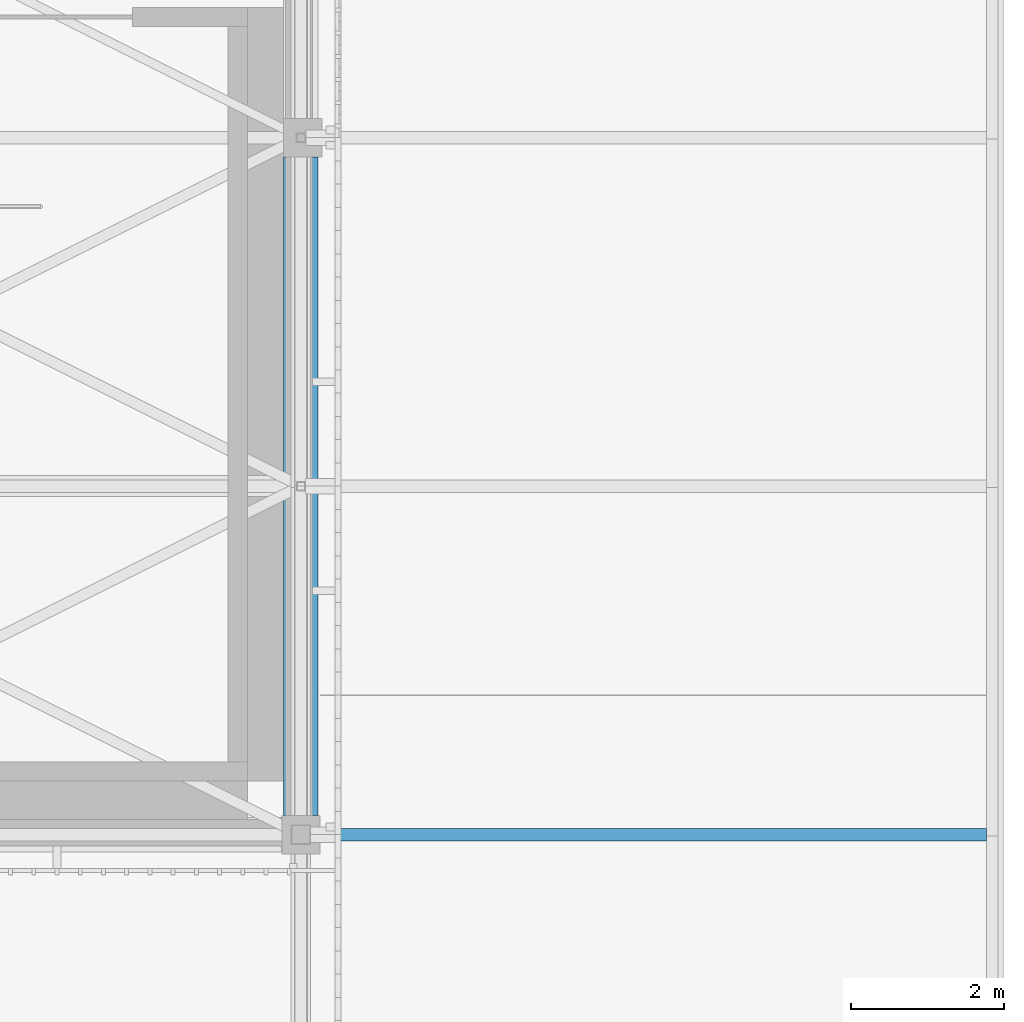
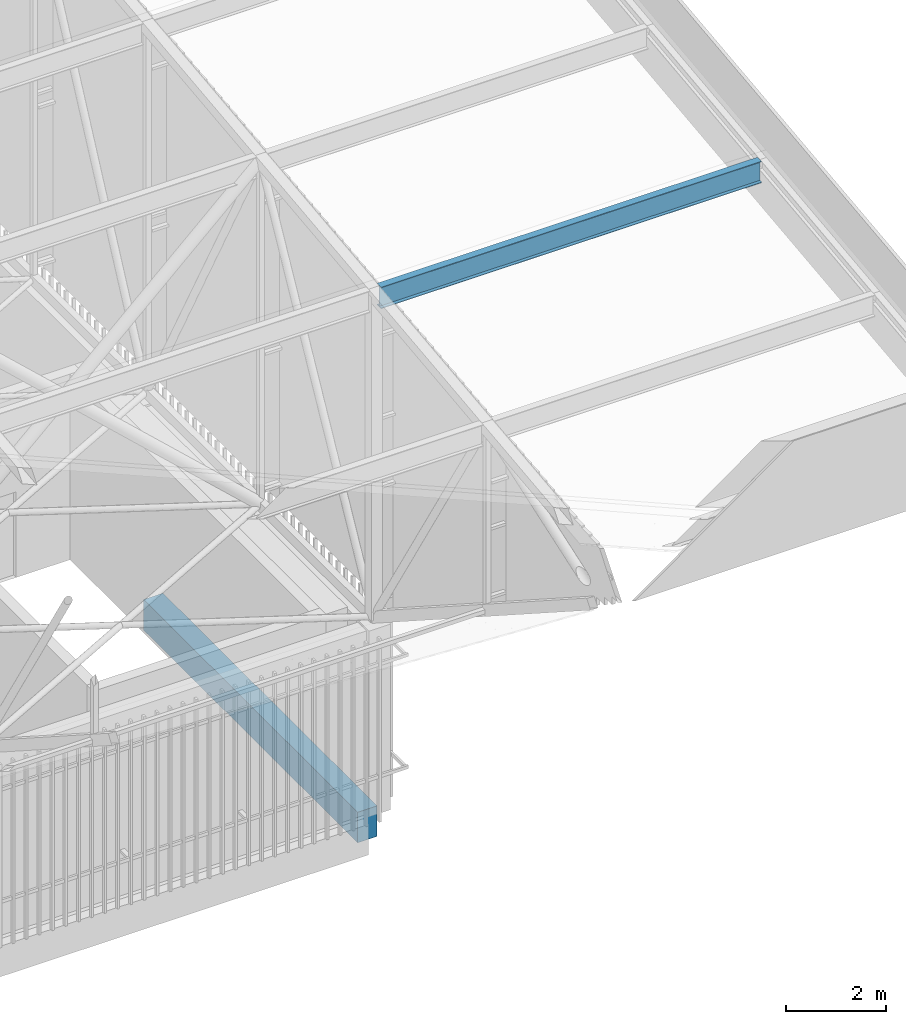
# One storey, part 334 of 500: 1 beam, 1 member.
"""IFC4 building model written with IfcOpenShell, lengths in metres."""

import ifcopenshell
import ifcopenshell.guid

model = None  # the IFC model being written
_history = None  # IfcOwnerHistory: only IFC2X3 demands one
_inside = {}  # id of a spatial element -> (the spatial element, [elements in it])
_under = {}  # id of a project, library or spatial element -> (it, [spatial elements below it])
_declared = {}  # id of a project -> (the project, [libraries it declares])
_typed = {}  # id of a type object -> (the type object, [elements of that type])
_made_of = {}  # id of a material, layer set ... -> (it, [elements and type objects made of it])


def new_model(schema):
    """Start an empty IFC model of exactly this schema.

    Asked for "IFC4X3", IfcOpenShell would pick the latest addendum, in which some entities
    have other attributes; the version numbers below select the first issue.
    IFC2X3 requires an IfcOwnerHistory on every rooted entity: one is made here for all.
    """
    global model, _history
    if schema == "IFC4X3":
        model = ifcopenshell.file(schema_version=(4, 3, 0, 0))
    else:
        model = ifcopenshell.file(schema=schema)
    _inside.clear()
    _under.clear()
    _declared.clear()
    _typed.clear()
    _made_of.clear()
    _history = None
    if model.schema == "IFC2X3":
        org = make("IfcOrganization", Name="unknown")
        user = make(
            "IfcPersonAndOrganization",
            ThePerson=make("IfcPerson", FamilyName="unknown"),
            TheOrganization=org,
        )
        app = make(
            "IfcApplication",
            ApplicationDeveloper=org,
            Version="unknown",
            ApplicationFullName="unknown",
            ApplicationIdentifier="unknown",
        )
        _history = make(
            "IfcOwnerHistory",
            OwningUser=user,
            OwningApplication=app,
            ChangeAction="ADDED",
            CreationDate=0,
        )
    return model


def make(cls, **values):
    """One entity of the class cls with the attributes given. An attribute that is None is left unset."""
    return model.create_entity(
        cls, **{name: value for name, value in values.items() if value is not None}
    )


def rooted(cls, **values):
    """An entity with a GlobalId (a new one), such as an element, a storey or a relation."""
    return make(cls, GlobalId=ifcopenshell.guid.new(), OwnerHistory=_history, **values)


def si_unit(unit_type, name, prefix=None):
    """IfcSIUnit, for example si_unit("LENGTHUNIT", "METRE", prefix="MILLI")."""
    return make("IfcSIUnit", UnitType=unit_type, Prefix=prefix, Name=name)


def assignment(units):
    """IfcUnitAssignment: the units of a project."""
    return None if units is None else make("IfcUnitAssignment", Units=units)


def point(xyz):
    """IfcCartesianPoint."""
    return None if xyz is None else make("IfcCartesianPoint", Coordinates=xyz)


def direction(xyz):
    """IfcDirection."""
    return None if xyz is None else make("IfcDirection", DirectionRatios=xyz)


def frame(location, z_axis=None, x_axis=None):
    """IfcAxis2Placement3D, a coordinate frame: its origin and axes. An axis left out is left unset."""
    return make(
        "IfcAxis2Placement3D",
        Location=point(location),
        Axis=direction(z_axis),
        RefDirection=direction(x_axis),
    )


def frame_2d(location, x_axis=None):
    """IfcAxis2Placement2D, a coordinate frame in the plane: its origin and x axis."""
    return make(
        "IfcAxis2Placement2D", Location=point(location), RefDirection=direction(x_axis)
    )


def origin():
    """The frame at (0, 0, 0) with its axes left unset."""
    return frame((0.0, 0.0, 0.0))


def origin_2d():
    """The frame at (0, 0) in the plane with its x axis left unset."""
    return frame_2d((0.0, 0.0))


def place(relative_to, where):
    """IfcLocalPlacement: puts the frame where relative to a parent placement (None: the world)."""
    return make(
        "IfcLocalPlacement", PlacementRelTo=relative_to, RelativePlacement=where
    )


def context(
    kind, dimensions, precision=None, world=None, true_north=None, identifier=None
):
    """IfcGeometricRepresentationContext, for example the 3D "Model" context."""
    return make(
        "IfcGeometricRepresentationContext",
        ContextIdentifier=identifier,
        ContextType=kind,
        CoordinateSpaceDimension=dimensions,
        Precision=precision,
        WorldCoordinateSystem=world,
        TrueNorth=true_north,
    )


def subcontext(parent, identifier, kind, view, scale=None):
    """IfcGeometricRepresentationSubContext, for example "Body" below "Model"."""
    return make(
        "IfcGeometricRepresentationSubContext",
        ContextIdentifier=identifier,
        ContextType=kind,
        ParentContext=parent,
        TargetScale=scale,
        TargetView=view,
    )


def project(units=None, contexts=None):
    """IfcProject with its units and contexts."""
    return rooted(
        "IfcProject",
        Name="project",
        RepresentationContexts=contexts,
        UnitsInContext=assignment(units),
    )


def spatial(cls, under=None, at=None, **own):
    """A site, building, storey or space (cls), placed at a placement, below another one or the project."""
    s = rooted(cls, ObjectPlacement=at, **own)
    if under is not None:
        _under.setdefault(under.id(), (under, []))[1].append(s)
    return s


def profile(cls, at=None, kind="AREA", **sizes):
    """A parametric profile (cls). Its sizes go by their IFC names, for example OverallWidth=200.0."""
    return make(cls, ProfileType=kind, Position=at, **sizes)


def rectangle(**sizes):
    """IfcRectangleProfileDef."""
    return profile("IfcRectangleProfileDef", **sizes)


def i_section(**sizes):
    """IfcIShapeProfileDef."""
    return profile("IfcIShapeProfileDef", **sizes)


def extrude(swept, where, along, depth):
    """IfcExtrudedAreaSolid: the profile swept, set in the frame where, extruded along a direction by depth."""
    return make(
        "IfcExtrudedAreaSolid",
        SweptArea=swept,
        Position=where,
        ExtrudedDirection=direction(along),
        Depth=depth,
    )


def shape(context_of_items, identifier, shape_type, items):
    """IfcShapeRepresentation: the items that make up one representation, for example the "Body"."""
    return make(
        "IfcShapeRepresentation",
        ContextOfItems=context_of_items,
        RepresentationIdentifier=identifier,
        RepresentationType=shape_type,
        Items=items,
    )


def material(Name=None, Category=None):
    """IfcMaterial."""
    return make("IfcMaterial", Name=Name, Category=Category)


def material_profile(
    of_material, cross_section, Name=None, Category=None, Priority=None
):
    """IfcMaterialProfile: a cross section and its material."""
    return make(
        "IfcMaterialProfile",
        Name=Name,
        Material=of_material,
        Profile=cross_section,
        Priority=Priority,
        Category=Category,
    )


def profile_set(profiles, Name=None, composite=None):
    """IfcMaterialProfileSet."""
    return make(
        "IfcMaterialProfileSet",
        Name=Name,
        MaterialProfiles=profiles,
        CompositeProfile=composite,
    )


def made_of(thing, what):
    """Note that an element or type object is made of a material, layer set ...; save() writes the relation."""
    if what is not None:
        _made_of.setdefault(what.id(), (what, []))[1].append(thing)
    return thing


def type_object(cls, material=None, **own):
    """A type object (cls), such as IfcWallType, which elements share."""
    return made_of(rooted(cls, **own), material)


def element(
    cls,
    number,
    at=None,
    inside=None,
    cuts=None,
    type_object=None,
    material=None,
    context=None,
    identifier="Body",
    shape_type=None,
    held_by="IfcProductDefinitionShape",
    body=None,
    shapes=None,
    **own,
):
    """One element of the class cls, such as IfcWall. Its Tag is "e" and its number.

    at: its placement. inside: the storey or other place that contains it. cuts: it is an
    opening in that element (IfcRelVoidsElement). A single representation is given by context,
    identifier, shape_type and body (its items); several are given by shapes. held_by: the class
    of the entity that holds the representations. save() writes the other relations.
    """
    e = rooted(cls, Tag="e%d" % number, ObjectPlacement=at, **own)
    if body is not None:
        shapes = [shape(context, identifier, shape_type, body)]
    if shapes is not None:
        e.Representation = make(held_by, Representations=shapes)
    if inside is not None:
        _inside.setdefault(inside.id(), (inside, []))[1].append(e)
    if cuts is not None:
        rooted(
            "IfcRelVoidsElement", RelatingBuildingElement=cuts, RelatedOpeningElement=e
        )
    if type_object is not None:
        _typed.setdefault(type_object.id(), (type_object, []))[1].append(e)
    return made_of(e, material)


def aggregate(whole, parts):
    """IfcRelAggregates: a whole, such as a stair, and the parts it consists of."""
    return rooted("IfcRelAggregates", RelatingObject=whole, RelatedObjects=parts)


def save(model, path):
    """Write the relations noted so far, then the file.

    IfcRelAggregates (storeys below a building ...), IfcRelContainedInSpatialStructure (elements
    in a storey), IfcRelDefinesByType, IfcRelAssociatesMaterial and IfcRelDeclares: one each for
    every whole, place, type object, material and project.
    """
    for whole, parts in _under.values():
        aggregate(whole, parts)
    for where, things in _inside.values():
        rooted(
            "IfcRelContainedInSpatialStructure",
            RelatedElements=things,
            RelatingStructure=where,
        )
    for kind, things in _typed.values():
        rooted("IfcRelDefinesByType", RelatedObjects=things, RelatingType=kind)
    for what, things in _made_of.values():
        rooted("IfcRelAssociatesMaterial", RelatedObjects=things, RelatingMaterial=what)
    for by, libraries in _declared.values():
        rooted("IfcRelDeclares", RelatingContext=by, RelatedDefinitions=libraries)
    model.write(path)


model = new_model("IFC4")

# Units and contexts
model_context = context("Model", 3, precision=1e-05, world=origin(), true_north=direction((0.0, 1.0)))
body_context = subcontext(model_context, "Body", "Model", "MODEL_VIEW")
ifc_project = project(units=[si_unit("LENGTHUNIT", "METRE"), si_unit("AREAUNIT", "SQUARE_METRE"), si_unit("VOLUMEUNIT", "CUBIC_METRE"), si_unit("PLANEANGLEUNIT", "RADIAN"), si_unit("MASSUNIT", "GRAM", prefix="KILO")], contexts=[model_context])

# Site, building, storey
site_placement = place(None, origin())
site = spatial("IfcSite", under=ifc_project, at=site_placement, CompositionType="ELEMENT")
building_placement = place(site_placement, origin())
building = spatial("IfcBuilding", under=site, at=building_placement, Name="Shirokan Park Arena", CompositionType="ELEMENT")
storey_placement = place(building_placement, frame((0.0, 0.0, 29.1201171875)))
storey = spatial("IfcBuildingStorey", under=building, at=storey_placement, Name="L06", CompositionType="ELEMENT", Elevation=29.1201171875)

# Member
ifc_material_1 = material(Name="Steel ASTM A992", Category="steel")
ifc_material_profile_1 = material_profile(ifc_material_1, i_section(OverallWidth=0.166015625, OverallDepth=0.528076171875, WebThickness=0.009765625, FlangeThickness=0.013671875, at=origin_2d()), Name="W530X74")
ifc_profile_set_1 = profile_set([ifc_material_profile_1], Name="Steel ASTM A992")
member_type = type_object("IfcMemberType", Name="Purlin W530X74", PredefinedType="PURLIN", material=ifc_profile_set_1)
member_placement = place(storey_placement, frame((145.72705078125, 0.0, 12.48583984375), z_axis=(1.0, 0.0, 0.0), x_axis=(0.0, 1.0, 0.0)))
element("IfcMember", 1, at=member_placement, inside=storey, type_object=member_type, Name="Eave purlin east 3", PredefinedType="PURLIN", context=body_context, shape_type="SweptSolid", body=[
    extrude(i_section(OverallWidth=0.166015625, OverallDepth=0.528076171875, WebThickness=0.009765625, FlangeThickness=0.013671875, at=origin_2d()), origin(), (0.0, 0.0, 1.0), 8.824951171875),
])

# Beam
ifc_material_2 = material(Name="Concrete C35", Category="concrete")
ifc_material_profile_2 = material_profile(ifc_material_2, rectangle(XDim=0.449951171875, YDim=0.75, at=origin_2d()), Name="450x750")
ifc_profile_set_2 = profile_set([ifc_material_profile_2], Name="Concrete C35")
beam_type = type_object("IfcBeamType", Name="RC girder 450x750", PredefinedType="BEAM", material=ifc_profile_set_2)
beam_placement = place(storey_placement, frame((145.60009765625, 0.25, -0.5751953125), z_axis=(0.0, 1.0, 0.0), x_axis=(-1.0, 0.0, 0.0)))
element("IfcBeam", 2, at=beam_placement, inside=storey, type_object=beam_type, Name="Girder 17A-17B L06", PredefinedType="BEAM", context=body_context, shape_type="SweptSolid", body=[
    extrude(rectangle(XDim=0.449951171875, YDim=0.75, at=origin_2d()), origin(), (0.0, 0.0, 1.0), 8.599853515625),
])

save(model, "model.ifc")
